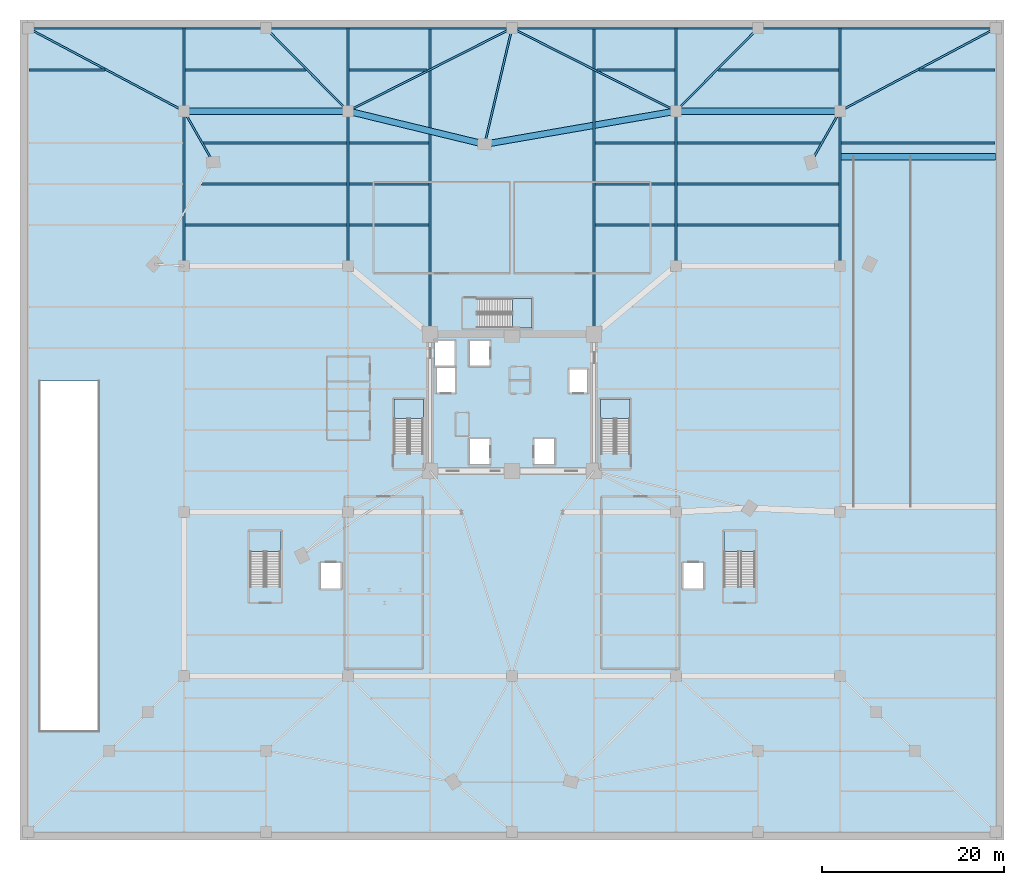
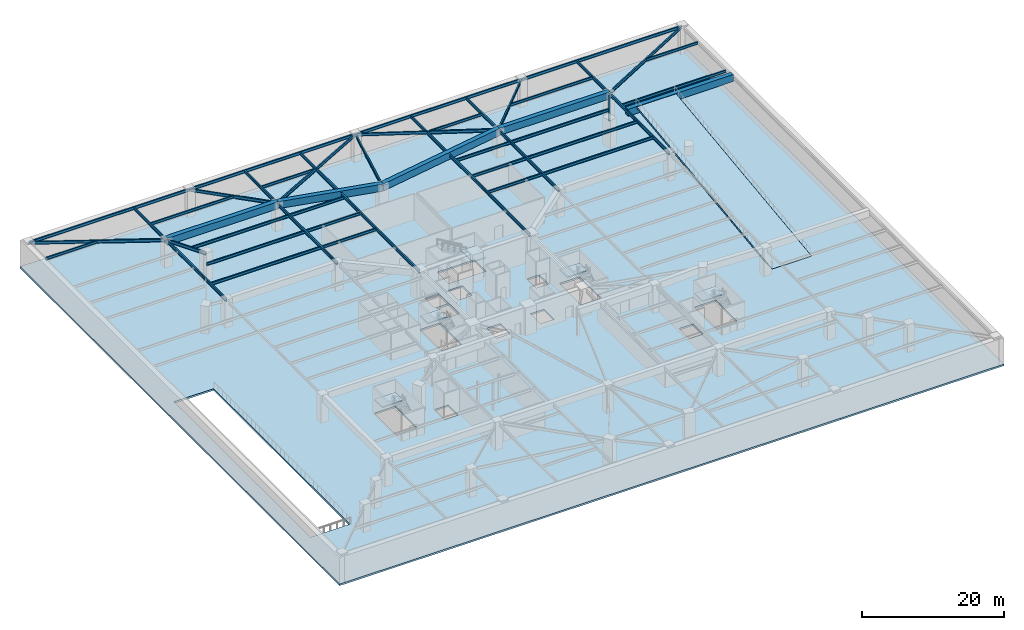
# One storey, part 7 of 20: 47 beams, 7 slabs, 5 elements without a shape of their own.
"""IFC4 building model written with IfcOpenShell, lengths in metres."""

from ifc_helpers import new_model, si_unit, direction, frame, origin, origin_2d, place, context, subcontext, project, spatial, polyline, rectangle, i_section, outline, extrude, source, transform, mapped, material, layer, layer_set, material_profile, profile_set, type_object, element, aggregate, save


model = new_model("IFC4")

# Units and contexts
model_context = context("Model", 3, precision=1e-05, world=origin(), true_north=direction((0.0, 1.0)))
body_context = subcontext(model_context, "Body", "Model", "MODEL_VIEW")
ifc_project = project(units=[si_unit("LENGTHUNIT", "METRE"), si_unit("AREAUNIT", "SQUARE_METRE"), si_unit("VOLUMEUNIT", "CUBIC_METRE"), si_unit("PLANEANGLEUNIT", "RADIAN"), si_unit("MASSUNIT", "GRAM", prefix="KILO")], contexts=[model_context])

# Site, building, storey
site_placement = place(None, origin())
site = spatial("IfcSite", under=ifc_project, at=site_placement, CompositionType="ELEMENT")
building_placement = place(site_placement, origin())
building = spatial("IfcBuilding", under=site, at=building_placement, Name="Liaohun Quay Tower", CompositionType="ELEMENT")
storey_placement = place(building_placement, frame((0.0, 0.0, -4.800048828125)))
storey = spatial("IfcBuildingStorey", under=building, at=storey_placement, Name="B1", CompositionType="ELEMENT", Elevation=-4.800048828125)

# Beams
ifc_material_1 = material(Name="Steel Q355D", Category="steel")
ifc_material_profile_1 = material_profile(ifc_material_1, i_section(OverallWidth=0.199951171875, OverallDepth=0.5, WebThickness=0.010009765625, FlangeThickness=0.01611328125, at=origin_2d()), Name="HN500x200x10x16")
ifc_profile_set_1 = profile_set([ifc_material_profile_1], Name="Steel Q355D")
beam_type_1 = type_object("IfcBeamType", Name="BM-POD-G3", PredefinedType="BEAM", material=ifc_profile_set_1)
shared_shape_1 = source(origin(), body_context, "Body", "SweptSolid", [
    extrude(i_section(OverallWidth=0.199951171875, OverallDepth=0.5, WebThickness=0.010009765625, FlangeThickness=0.01611328125, at=origin_2d()), origin(), (0.0, 0.0, 1.0), 27.0),
])
for number, where, z_axis, x_axis, name in (
    (1, (33.0, 95.10009765625, 4.300048828125), (1.0, 0.0, 0.0), (0.0, 1.0, 0.0), "B1 Perimeter Tie Girder BP07-BP08"),
    (2, (60.0, 95.10009765625, 4.300048828125), (1.0, 0.0, 0.0), (0.0, 1.0, 0.0), "B1 Perimeter Tie Girder BP08-BP09"),
):
    element("IfcBeam", number, at=place(storey_placement, frame(where, z_axis=z_axis, x_axis=x_axis)), inside=storey, type_object=beam_type_1, Name=name, PredefinedType="BEAM", context=body_context, shape_type="MappedRepresentation", body=[
        mapped(shared_shape_1, transform((0.0, 0.0, 0.0), x_axis=(1.0, 0.0, 0.0), y_axis=(0.0, 1.0, 0.0), z_axis=(0.0, 0.0, 1.0), scale=1.0)),
    ])
shared_shape_2 = source(origin(), body_context, "Body", "SweptSolid", [
    extrude(i_section(OverallWidth=0.199951171875, OverallDepth=0.5, WebThickness=0.010009765625, FlangeThickness=0.01611328125, at=origin_2d()), origin(), (0.0, 0.0, 1.0), 17.0),
])
for number, where, z_axis, x_axis, name in (
    (3, (24.0, 69.0, 4.300048828125), (0.0, 1.0, 0.0), (-1.0, 0.0, 0.0), "B1 Primary Grid Girder PG10-PG14"),
    (4, (42.0, 69.0, 4.300048828125), (0.0, 1.0, 0.0), (-1.0, 0.0, 0.0), "B1 Primary Grid Girder PG11-PG15"),
    (5, (78.0, 69.0, 4.300048828125), (0.0, 1.0, 0.0), (-1.0, 0.0, 0.0), "B1 Primary Grid Girder PG12-PG17"),
    (6, (96.0, 69.0, 4.300048828125), (0.0, 1.0, 0.0), (-1.0, 0.0, 0.0), "B1 Primary Grid Girder PG13-PG18"),
):
    element("IfcBeam", number, at=place(storey_placement, frame(where, z_axis=z_axis, x_axis=x_axis)), inside=storey, type_object=beam_type_1, Name=name, PredefinedType="BEAM", context=body_context, shape_type="MappedRepresentation", body=[
        mapped(shared_shape_2, transform((0.0, 0.0, 0.0), x_axis=(1.0, 0.0, 0.0), y_axis=(0.0, 1.0, 0.0), z_axis=(0.0, 0.0, 1.0), scale=1.0)),
    ])
shared_shape_3 = source(origin(), body_context, "Body", "SweptSolid", [
    extrude(i_section(OverallWidth=0.199951171875, OverallDepth=0.5, WebThickness=0.010009765625, FlangeThickness=0.01611328125, at=origin_2d()), origin(), (0.0, 0.0, 1.0), 6.45703125),
])
beam_1_placement = place(storey_placement, frame((27.198974609375, 80.39111328125, 4.300048828125), z_axis=(-0.49542619565, 0.868650035782, 0.0), x_axis=(-0.868650035782, -0.49542619565, 0.0)))
element("IfcBeam", 7, at=beam_1_placement, inside=storey, type_object=beam_type_1, Name="B1 Primary Grid Girder PC05-PG14", PredefinedType="BEAM", context=body_context, shape_type="MappedRepresentation", body=[
    mapped(shared_shape_3, transform((0.0, 0.0, 0.0), x_axis=(1.0, 0.0, 0.0), y_axis=(0.0, 1.0, 0.0), z_axis=(0.0, 0.0, 1.0), scale=1.0)),
])
shared_shape_4 = source(origin(), body_context, "Body", "SweptSolid", [
    extrude(i_section(OverallWidth=0.199951171875, OverallDepth=0.5, WebThickness=0.010009765625, FlangeThickness=0.01611328125, at=origin_2d()), origin(), (0.0, 0.0, 1.0), 6.462158203125),
])
beam_2_placement = place(storey_placement, frame((92.802978515625, 80.384033203125, 4.300048828125), z_axis=(0.494726480393, 0.869048738333, 0.0), x_axis=(-0.869048738333, 0.494726480393, 0.0)))
element("IfcBeam", 8, at=beam_2_placement, inside=storey, type_object=beam_type_1, Name="B1 Primary Grid Girder PC07-PG18", PredefinedType="BEAM", context=body_context, shape_type="MappedRepresentation", body=[
    mapped(shared_shape_4, transform((0.0, 0.0, 0.0), x_axis=(1.0, 0.0, 0.0), y_axis=(0.0, 1.0, 0.0), z_axis=(0.0, 0.0, 1.0), scale=1.0)),
])
shared_shape_5 = source(origin(), body_context, "Body", "SweptSolid", [
    extrude(i_section(OverallWidth=0.199951171875, OverallDepth=0.5, WebThickness=0.010009765625, FlangeThickness=0.01611328125, at=origin_2d()), origin(), (0.0, 0.0, 1.0), 26.10009765625),
])
for number, where, z_axis, x_axis, name in (
    (9, (6.89990234375, 95.10009765625, 4.300048828125), (1.0, 0.0, 0.0), (0.0, 1.0, 0.0), "B1 Perimeter Tie Girder BP06-BP07"),
    (10, (87.0, 95.10009765625, 4.300048828125), (1.0, 0.0, 0.0), (0.0, 1.0, 0.0), "B1 Perimeter Tie Girder BP09-BP10"),
):
    element("IfcBeam", number, at=place(storey_placement, frame(where, z_axis=z_axis, x_axis=x_axis)), inside=storey, type_object=beam_type_1, Name=name, PredefinedType="BEAM", context=body_context, shape_type="MappedRepresentation", body=[
        mapped(shared_shape_5, transform((0.0, 0.0, 0.0), x_axis=(1.0, 0.0, 0.0), y_axis=(0.0, 1.0, 0.0), z_axis=(0.0, 0.0, 1.0), scale=1.0)),
    ])
shared_shape_6 = source(origin(), body_context, "Body", "SweptSolid", [
    extrude(i_section(OverallWidth=0.199951171875, OverallDepth=0.5, WebThickness=0.010009765625, FlangeThickness=0.01611328125, at=origin_2d()), origin(), (0.0, 0.0, 1.0), 19.370849609375),
])
for number, where, z_axis, x_axis, name in (
    (11, (6.89990234375, 95.10009765625, 4.300048828125), (0.882780313586, -0.469786034217, 0.0), (0.469786034217, 0.882780313586, 0.0), "B1 Perimeter Tie Girder BP06-PG14"),
    (12, (113.10009765625, 95.10009765625, 4.300048828125), (-0.882780313586, -0.469786034217, 0.0), (0.469786034217, -0.882780313586, 0.0), "B1 Perimeter Tie Girder BP10-PG18"),
):
    element("IfcBeam", number, at=place(storey_placement, frame(where, z_axis=z_axis, x_axis=x_axis)), inside=storey, type_object=beam_type_1, Name=name, PredefinedType="BEAM", context=body_context, shape_type="MappedRepresentation", body=[
        mapped(shared_shape_6, transform((0.0, 0.0, 0.0), x_axis=(1.0, 0.0, 0.0), y_axis=(0.0, 1.0, 0.0), z_axis=(0.0, 0.0, 1.0), scale=1.0)),
    ])
shared_shape_7 = source(origin(), body_context, "Body", "SweptSolid", [
    extrude(i_section(OverallWidth=0.199951171875, OverallDepth=0.5, WebThickness=0.010009765625, FlangeThickness=0.01611328125, at=origin_2d()), origin(), (0.0, 0.0, 1.0), 12.798828125),
])
for number, where, z_axis, x_axis, name in (
    (13, (33.0, 95.10009765625, 4.300048828125), (0.703185567055, -0.711006370074, 0.0), (0.711006370074, 0.703185567055, 0.0), "B1 Perimeter Tie Girder BP07-PG15"),
    (14, (87.0, 95.10009765625, 4.300048828125), (-0.703185567055, -0.711006370074, 0.0), (0.711006370074, -0.703185567055, 0.0), "B1 Perimeter Tie Girder BP09-PG17"),
):
    element("IfcBeam", number, at=place(storey_placement, frame(where, z_axis=z_axis, x_axis=x_axis)), inside=storey, type_object=beam_type_1, Name=name, PredefinedType="BEAM", context=body_context, shape_type="MappedRepresentation", body=[
        mapped(shared_shape_7, transform((0.0, 0.0, 0.0), x_axis=(1.0, 0.0, 0.0), y_axis=(0.0, 1.0, 0.0), z_axis=(0.0, 0.0, 1.0), scale=1.0)),
    ])
shared_shape_8 = source(origin(), body_context, "Body", "SweptSolid", [
    extrude(i_section(OverallWidth=0.199951171875, OverallDepth=0.5, WebThickness=0.010009765625, FlangeThickness=0.01611328125, at=origin_2d()), origin(), (0.0, 0.0, 1.0), 13.089599609375),
])
beam_3_placement = place(storey_placement, frame((60.0, 95.10009765625, 4.300048828125), z_axis=(-0.229563256171, -0.973293743644, 0.0), x_axis=(0.973293743644, -0.229563256171, 0.0)))
element("IfcBeam", 15, at=beam_3_placement, inside=storey, type_object=beam_type_1, Name="B1 Perimeter Tie Girder BP08-PC06", PredefinedType="BEAM", context=body_context, shape_type="MappedRepresentation", body=[
    mapped(shared_shape_8, transform((0.0, 0.0, 0.0), x_axis=(1.0, 0.0, 0.0), y_axis=(0.0, 1.0, 0.0), z_axis=(0.0, 0.0, 1.0), scale=1.0)),
])
shared_shape_9 = source(origin(), body_context, "Body", "SweptSolid", [
    extrude(i_section(OverallWidth=0.199951171875, OverallDepth=0.5, WebThickness=0.010009765625, FlangeThickness=0.01611328125, at=origin_2d()), origin(), (0.0, 0.0, 1.0), 20.169677734375),
])
for number, where, z_axis, x_axis, name in (
    (16, (60.0, 95.10009765625, 4.300048828125), (-0.892433257544, -0.451179433074, 0.0), (0.451179433074, -0.892433257544, 0.0), "B1 Perimeter Tie Girder BP08-PG15"),
    (17, (60.0, 95.10009765625, 4.300048828125), (0.892433257544, -0.451179433074, 0.0), (0.451179433074, 0.892433257544, 0.0), "B1 Perimeter Tie Girder BP08-PG17"),
):
    element("IfcBeam", number, at=place(storey_placement, frame(where, z_axis=z_axis, x_axis=x_axis)), inside=storey, type_object=beam_type_1, Name=name, PredefinedType="BEAM", context=body_context, shape_type="MappedRepresentation", body=[
        mapped(shared_shape_9, transform((0.0, 0.0, 0.0), x_axis=(1.0, 0.0, 0.0), y_axis=(0.0, 1.0, 0.0), z_axis=(0.0, 0.0, 1.0), scale=1.0)),
    ])
shared_shape_10 = source(origin(), body_context, "Body", "SweptSolid", [
    extrude(i_section(OverallWidth=0.199951171875, OverallDepth=0.5, WebThickness=0.010009765625, FlangeThickness=0.01611328125, at=origin_2d()), origin(), (0.0, 0.0, 1.0), 33.60009765625),
])
for number, where, z_axis, x_axis, name in (
    (18, (51.0, 61.5, 4.300048828125), (0.0, 1.0, 0.0), (-1.0, 0.0, 0.0), "B1 Spine Girder X51-N"),
    (19, (69.0, 61.5, 4.300048828125), (0.0, 1.0, 0.0), (-1.0, 0.0, 0.0), "B1 Spine Girder X69-N"),
):
    element("IfcBeam", number, at=place(storey_placement, frame(where, z_axis=z_axis, x_axis=x_axis)), inside=storey, type_object=beam_type_1, Name=name, PredefinedType="BEAM", context=body_context, shape_type="MappedRepresentation", body=[
        mapped(shared_shape_10, transform((0.0, 0.0, 0.0), x_axis=(1.0, 0.0, 0.0), y_axis=(0.0, 1.0, 0.0), z_axis=(0.0, 0.0, 1.0), scale=1.0)),
    ])
shared_shape_11 = source(origin(), body_context, "Body", "SweptSolid", [
    extrude(i_section(OverallWidth=0.199951171875, OverallDepth=0.5, WebThickness=0.010009765625, FlangeThickness=0.01611328125, at=origin_2d()), origin(), (0.0, 0.0, 1.0), 9.10009765625),
])
for number, where, z_axis, x_axis, name in (
    (20, (24.0, 86.0, 4.300048828125), (0.0, 1.0, 0.0), (-1.0, 0.0, 0.0), "B1 North Apron Spine Girder X24"),
    (21, (42.0, 86.0, 4.300048828125), (0.0, 1.0, 0.0), (-1.0, 0.0, 0.0), "B1 North Apron Spine Girder X42"),
    (22, (78.0, 86.0, 4.300048828125), (0.0, 1.0, 0.0), (-1.0, 0.0, 0.0), "B1 North Apron Spine Girder X78"),
    (23, (96.0, 86.0, 4.300048828125), (0.0, 1.0, 0.0), (-1.0, 0.0, 0.0), "B1 North Apron Spine Girder X96"),
):
    element("IfcBeam", number, at=place(storey_placement, frame(where, z_axis=z_axis, x_axis=x_axis)), inside=storey, type_object=beam_type_1, Name=name, PredefinedType="BEAM", context=body_context, shape_type="MappedRepresentation", body=[
        mapped(shared_shape_11, transform((0.0, 0.0, 0.0), x_axis=(1.0, 0.0, 0.0), y_axis=(0.0, 1.0, 0.0), z_axis=(0.0, 0.0, 1.0), scale=1.0)),
    ])
ifc_material_profile_2 = material_profile(ifc_material_1, i_section(OverallWidth=0.199951171875, OverallDepth=0.449951171875, WebThickness=0.009033203125, FlangeThickness=0.013916015625, at=origin_2d()), Name="HN450x200x9x14")
ifc_profile_set_2 = profile_set([ifc_material_profile_2], Name="Steel Q355D")
beam_type_2 = type_object("IfcBeamType", Name="BM-SEC-J1", PredefinedType="JOIST", material=ifc_profile_set_2)
shared_shape_12 = source(origin(), body_context, "Body", "SweptSolid", [
    extrude(i_section(OverallWidth=0.199951171875, OverallDepth=0.449951171875, WebThickness=0.009033203125, FlangeThickness=0.013916015625, at=origin_2d()), origin(), (0.0, 0.0, 1.0), 16.89990234375),
])
beam_4_placement = place(storey_placement, frame((96.10009765625, 82.5, 4.324951171875), z_axis=(1.0, 0.0, 0.0), x_axis=(0.0, 1.0, 0.0)))
element("IfcBeam", 24, at=beam_4_placement, inside=storey, type_object=beam_type_2, Name="B1 Composite Floor Joist SJ-83", PredefinedType="JOIST", context=body_context, shape_type="MappedRepresentation", body=[
    mapped(shared_shape_12, transform((0.0, 0.0, 0.0), x_axis=(1.0, 0.0, 0.0), y_axis=(0.0, 1.0, 0.0), z_axis=(0.0, 0.0, 1.0), scale=1.0)),
])
shared_shape_13 = source(origin(), body_context, "Body", "SweptSolid", [
    extrude(i_section(OverallWidth=0.199951171875, OverallDepth=0.449951171875, WebThickness=0.009033203125, FlangeThickness=0.013916015625, at=origin_2d()), origin(), (0.0, 0.0, 1.0), 8.3310546875),
])
for number, where, z_axis, x_axis, name in (
    (25, (7.0, 90.5, 4.324951171875), (1.0, 0.0, 0.0), (0.0, 1.0, 0.0), "B1 Composite Floor Joist SJ-14"),
    (26, (104.6689453125, 90.5, 4.324951171875), (1.0, 0.0, 0.0), (0.0, 1.0, 0.0), "B1 Composite Floor Joist SJ-84"),
):
    element("IfcBeam", number, at=place(storey_placement, frame(where, z_axis=z_axis, x_axis=x_axis)), inside=storey, type_object=beam_type_2, Name=name, PredefinedType="JOIST", context=body_context, shape_type="MappedRepresentation", body=[
        mapped(shared_shape_13, transform((0.0, 0.0, 0.0), x_axis=(1.0, 0.0, 0.0), y_axis=(0.0, 1.0, 0.0), z_axis=(0.0, 0.0, 1.0), scale=1.0)),
    ])
shared_shape_14 = source(origin(), body_context, "Body", "SweptSolid", [
    extrude(i_section(OverallWidth=0.199951171875, OverallDepth=0.449951171875, WebThickness=0.009033203125, FlangeThickness=0.013916015625, at=origin_2d()), origin(), (0.0, 0.0, 1.0), 8.7998046875),
])
for number, where, z_axis, x_axis, name in (
    (27, (42.10009765625, 73.5, 4.324951171875), (1.0, 0.0, 0.0), (0.0, 1.0, 0.0), "B1 Composite Floor Joist SJ-39"),
    (28, (42.10009765625, 78.0, 4.324951171875), (1.0, 0.0, 0.0), (0.0, 1.0, 0.0), "B1 Composite Floor Joist SJ-40"),
    (29, (42.10009765625, 82.5, 4.324951171875), (1.0, 0.0, 0.0), (0.0, 1.0, 0.0), "B1 Composite Floor Joist SJ-41"),
    (30, (69.10009765625, 73.5, 4.324951171875), (1.0, 0.0, 0.0), (0.0, 1.0, 0.0), "B1 Composite Floor Joist SJ-53"),
    (31, (69.10009765625, 78.0, 4.324951171875), (1.0, 0.0, 0.0), (0.0, 1.0, 0.0), "B1 Composite Floor Joist SJ-54"),
    (32, (69.10009765625, 82.5, 4.324951171875), (1.0, 0.0, 0.0), (0.0, 1.0, 0.0), "B1 Composite Floor Joist SJ-55"),
):
    element("IfcBeam", number, at=place(storey_placement, frame(where, z_axis=z_axis, x_axis=x_axis)), inside=storey, type_object=beam_type_2, Name=name, PredefinedType="JOIST", context=body_context, shape_type="MappedRepresentation", body=[
        mapped(shared_shape_14, transform((0.0, 0.0, 0.0), x_axis=(1.0, 0.0, 0.0), y_axis=(0.0, 1.0, 0.0), z_axis=(0.0, 0.0, 1.0), scale=1.0)),
    ])
shared_shape_15 = source(origin(), body_context, "Body", "SweptSolid", [
    extrude(i_section(OverallWidth=0.199951171875, OverallDepth=0.449951171875, WebThickness=0.009033203125, FlangeThickness=0.013916015625, at=origin_2d()), origin(), (0.0, 0.0, 1.0), 17.7998046875),
])
for number, where, z_axis, x_axis, name in (
    (33, (24.10009765625, 73.5, 4.324951171875), (1.0, 0.0, 0.0), (0.0, 1.0, 0.0), "B1 Composite Floor Joist SJ-25"),
    (34, (78.10009765625, 73.5, 4.324951171875), (1.0, 0.0, 0.0), (0.0, 1.0, 0.0), "B1 Composite Floor Joist SJ-67"),
    (35, (78.10009765625, 78.0, 4.324951171875), (1.0, 0.0, 0.0), (0.0, 1.0, 0.0), "B1 Composite Floor Joist SJ-68"),
):
    element("IfcBeam", number, at=place(storey_placement, frame(where, z_axis=z_axis, x_axis=x_axis)), inside=storey, type_object=beam_type_2, Name=name, PredefinedType="JOIST", context=body_context, shape_type="MappedRepresentation", body=[
        mapped(shared_shape_15, transform((0.0, 0.0, 0.0), x_axis=(1.0, 0.0, 0.0), y_axis=(0.0, 1.0, 0.0), z_axis=(0.0, 0.0, 1.0), scale=1.0)),
    ])
shared_shape_16 = source(origin(), body_context, "Body", "SweptSolid", [
    extrude(i_section(OverallWidth=0.199951171875, OverallDepth=0.449951171875, WebThickness=0.009033203125, FlangeThickness=0.013916015625, at=origin_2d()), origin(), (0.0, 0.0, 1.0), 15.9658203125),
])
beam_5_placement = place(storey_placement, frame((25.93408203125, 78.0, 4.324951171875), z_axis=(1.0, 0.0, 0.0), x_axis=(0.0, 1.0, 0.0)))
element("IfcBeam", 36, at=beam_5_placement, inside=storey, type_object=beam_type_2, Name="B1 Composite Floor Joist SJ-26", PredefinedType="JOIST", context=body_context, shape_type="MappedRepresentation", body=[
    mapped(shared_shape_16, transform((0.0, 0.0, 0.0), x_axis=(1.0, 0.0, 0.0), y_axis=(0.0, 1.0, 0.0), z_axis=(0.0, 0.0, 1.0), scale=1.0)),
])
shared_shape_17 = source(origin(), body_context, "Body", "SweptSolid", [
    extrude(i_section(OverallWidth=0.199951171875, OverallDepth=0.449951171875, WebThickness=0.009033203125, FlangeThickness=0.013916015625, at=origin_2d()), origin(), (0.0, 0.0, 1.0), 15.788818359375),
])
beam_6_placement = place(storey_placement, frame((26.111083984375, 82.5, 4.324951171875), z_axis=(1.0, 0.0, 0.0), x_axis=(0.0, 1.0, 0.0)))
element("IfcBeam", 37, at=beam_6_placement, inside=storey, type_object=beam_type_2, Name="B1 Composite Floor Joist SJ-27", PredefinedType="JOIST", context=body_context, shape_type="MappedRepresentation", body=[
    mapped(shared_shape_17, transform((0.0, 0.0, 0.0), x_axis=(1.0, 0.0, 0.0), y_axis=(0.0, 1.0, 0.0), z_axis=(0.0, 0.0, 1.0), scale=1.0)),
])
shared_shape_18 = source(origin(), body_context, "Body", "SweptSolid", [
    extrude(i_section(OverallWidth=0.199951171875, OverallDepth=0.449951171875, WebThickness=0.009033203125, FlangeThickness=0.013916015625, at=origin_2d()), origin(), (0.0, 0.0, 1.0), 13.308837890625),
])
for number, where, z_axis, x_axis, name in (
    (38, (24.10009765625, 90.5, 4.324951171875), (1.0, 0.0, 0.0), (0.0, 1.0, 0.0), "B1 Composite Floor Joist SJ-28"),
    (39, (82.591064453125, 90.5, 4.324951171875), (1.0, 0.0, 0.0), (0.0, 1.0, 0.0), "B1 Composite Floor Joist SJ-70"),
):
    element("IfcBeam", number, at=place(storey_placement, frame(where, z_axis=z_axis, x_axis=x_axis)), inside=storey, type_object=beam_type_2, Name=name, PredefinedType="JOIST", context=body_context, shape_type="MappedRepresentation", body=[
        mapped(shared_shape_18, transform((0.0, 0.0, 0.0), x_axis=(1.0, 0.0, 0.0), y_axis=(0.0, 1.0, 0.0), z_axis=(0.0, 0.0, 1.0), scale=1.0)),
    ])
shared_shape_19 = source(origin(), body_context, "Body", "SweptSolid", [
    extrude(i_section(OverallWidth=0.199951171875, OverallDepth=0.449951171875, WebThickness=0.009033203125, FlangeThickness=0.013916015625, at=origin_2d()), origin(), (0.0, 0.0, 1.0), 8.578857421875),
])
for number, where, z_axis, x_axis, name in (
    (40, (42.10009765625, 90.5, 4.324951171875), (1.0, 0.0, 0.0), (0.0, 1.0, 0.0), "B1 Composite Floor Joist SJ-42"),
    (41, (69.321044921875, 90.5, 4.324951171875), (1.0, 0.0, 0.0), (0.0, 1.0, 0.0), "B1 Composite Floor Joist SJ-56"),
):
    element("IfcBeam", number, at=place(storey_placement, frame(where, z_axis=z_axis, x_axis=x_axis)), inside=storey, type_object=beam_type_2, Name=name, PredefinedType="JOIST", context=body_context, shape_type="MappedRepresentation", body=[
        mapped(shared_shape_19, transform((0.0, 0.0, 0.0), x_axis=(1.0, 0.0, 0.0), y_axis=(0.0, 1.0, 0.0), z_axis=(0.0, 0.0, 1.0), scale=1.0)),
    ])
shared_shape_20 = source(origin(), body_context, "Body", "SweptSolid", [
    extrude(i_section(OverallWidth=0.199951171875, OverallDepth=0.449951171875, WebThickness=0.009033203125, FlangeThickness=0.013916015625, at=origin_2d()), origin(), (0.0, 0.0, 1.0), 15.7919921875),
])
beam_7_placement = place(storey_placement, frame((78.10009765625, 82.5, 4.324951171875), z_axis=(1.0, 0.0, 0.0), x_axis=(0.0, 1.0, 0.0)))
element("IfcBeam", 42, at=beam_7_placement, inside=storey, type_object=beam_type_2, Name="B1 Composite Floor Joist SJ-69", PredefinedType="JOIST", context=body_context, shape_type="MappedRepresentation", body=[
    mapped(shared_shape_20, transform((0.0, 0.0, 0.0), x_axis=(1.0, 0.0, 0.0), y_axis=(0.0, 1.0, 0.0), z_axis=(0.0, 0.0, 1.0), scale=1.0)),
])
ifc_material_2 = material(Name="Concrete C50", Category="concrete")
ifc_material_profile_3 = material_profile(ifc_material_2, rectangle(XDim=0.699951171875, YDim=1.199951171875, at=origin_2d()), Name="RC700x1200")
ifc_profile_set_3 = profile_set([ifc_material_profile_3], Name="Concrete C50")
beam_type_3 = type_object("IfcBeamType", Name="BM-GRD-2", PredefinedType="BEAM", material=ifc_profile_set_3)
shared_shape_21 = source(origin(), body_context, "Body", "SweptSolid", [
    extrude(rectangle(XDim=0.699951171875, YDim=1.199951171875, at=origin_2d()), origin(), (0.0, 0.0, 1.0), 18.0),
])
for number, where, z_axis, x_axis, name in (
    (43, (24.0, 86.0, 4.199951171875), (1.0, 0.0, 0.0), (0.0, 1.0, 0.0), "B1 Primary Grid Girder PG14-PG15"),
    (44, (78.0, 86.0, 4.199951171875), (1.0, 0.0, 0.0), (0.0, 1.0, 0.0), "B1 Primary Grid Girder PG17-PG18"),
):
    element("IfcBeam", number, at=place(storey_placement, frame(where, z_axis=z_axis, x_axis=x_axis)), inside=storey, type_object=beam_type_3, Name=name, PredefinedType="BEAM", context=body_context, shape_type="MappedRepresentation", body=[
        mapped(shared_shape_21, transform((0.0, 0.0, 0.0), x_axis=(1.0, 0.0, 0.0), y_axis=(0.0, 1.0, 0.0), z_axis=(0.0, 0.0, 1.0), scale=1.0)),
    ])
shared_shape_22 = source(origin(), body_context, "Body", "SweptSolid", [
    extrude(rectangle(XDim=0.699951171875, YDim=1.199951171875, at=origin_2d()), origin(), (0.0, 0.0, 1.0), 15.4306640625),
])
beam_8_placement = place(storey_placement, frame((42.0, 86.0, 4.199951171875), z_axis=(0.971780133719, -0.235888473032, 0.0), x_axis=(0.235888473032, 0.971780133719, 0.0)))
element("IfcBeam", 45, at=beam_8_placement, inside=storey, type_object=beam_type_3, Name="B1 Primary Grid Girder PG15-PC06", PredefinedType="BEAM", context=body_context, shape_type="MappedRepresentation", body=[
    mapped(shared_shape_22, transform((0.0, 0.0, 0.0), x_axis=(1.0, 0.0, 0.0), y_axis=(0.0, 1.0, 0.0), z_axis=(0.0, 0.0, 1.0), scale=1.0)),
])
shared_shape_23 = source(origin(), body_context, "Body", "SweptSolid", [
    extrude(rectangle(XDim=0.699951171875, YDim=1.199951171875, at=origin_2d()), origin(), (0.0, 0.0, 1.0), 21.31787109375),
])
beam_9_placement = place(storey_placement, frame((56.9951171875, 82.360107421875, 4.199951171875), z_axis=(0.985315548274, 0.170743287801, 0.0), x_axis=(-0.170743287801, 0.985315548274, 0.0)))
element("IfcBeam", 46, at=beam_9_placement, inside=storey, type_object=beam_type_3, Name="B1 Primary Grid Girder PC06-PG17", PredefinedType="BEAM", context=body_context, shape_type="MappedRepresentation", body=[
    mapped(shared_shape_23, transform((0.0, 0.0, 0.0), x_axis=(1.0, 0.0, 0.0), y_axis=(0.0, 1.0, 0.0), z_axis=(0.0, 0.0, 1.0), scale=1.0)),
])
shared_shape_24 = source(origin(), body_context, "Body", "SweptSolid", [
    extrude(rectangle(XDim=0.699951171875, YDim=1.199951171875, at=origin_2d()), origin(), (0.0, 0.0, 1.0), 17.10009765625),
])
beam_10_placement = place(storey_placement, frame((96.0, 81.0, 4.199951171875), z_axis=(1.0, 0.0, 0.0), x_axis=(0.0, 1.0, 0.0)))
element("IfcBeam", 47, at=beam_10_placement, inside=storey, type_object=beam_type_3, Name="B1 Upper Ramp L01 Arrival Header", PredefinedType="BEAM", context=body_context, shape_type="MappedRepresentation", body=[
    mapped(shared_shape_24, transform((0.0, 0.0, 0.0), x_axis=(1.0, 0.0, 0.0), y_axis=(0.0, 1.0, 0.0), z_axis=(0.0, 0.0, 1.0), scale=1.0)),
])

# Slab
ifc_material_3 = material(Name="Concrete C45", Category="concrete")
ifc_layer_1 = layer(ifc_material_3, 0.300048828125, Name="Concrete C45", Category="concrete")
ifc_layer_set_1 = layer_set([ifc_layer_1], Name="Concrete C45")
slab_type_1 = type_object("IfcSlabType", Name="SLB-B1-300", PredefinedType="FLOOR", material=ifc_layer_set_1)
slab_1_placement = place(storey_placement, frame((0.0, 0.0, -0.300048828125)))
element("IfcSlab", 48, at=slab_1_placement, inside=storey, type_object=slab_type_1, Name="B1 Structural Floor Slab", PredefinedType="FLOOR", context=body_context, shape_type="SweptSolid", body=[
    extrude(outline(polyline([(6.0, 6.0), (114.0, 6.0), (114.0, 96.0), (6.0, 96.0), (6.0, 6.0)]), holes=[polyline([(41.2099609375, 36.409912109375), (38.989990234375, 36.409912109375), (38.989990234375, 33.590087890625), (41.2099609375, 33.590087890625), (41.2099609375, 36.409912109375)]), polyline([(34.639892578125, 39.89990234375), (31.199951171875, 39.89990234375), (31.199951171875, 33.81005859375), (34.639892578125, 33.81005859375), (34.639892578125, 39.89990234375)]), polyline([(14.60009765625, 18.0), (14.60009765625, 56.39990234375), (8.199951171875, 56.39990234375), (8.199951171875, 18.0), (14.60009765625, 18.0)]), polyline([(57.56005859375, 47.2099609375), (57.56005859375, 50.030029296875), (55.340087890625, 50.030029296875), (55.340087890625, 47.2099609375), (57.56005859375, 47.2099609375)]), polyline([(50.280029296875, 54.419921875), (47.0400390625, 54.419921875), (47.0400390625, 48.409912109375), (50.280029296875, 48.409912109375), (50.280029296875, 54.419921875)]), polyline([(53.760009765625, 55.090087890625), (53.760009765625, 57.909912109375), (51.7099609375, 57.909912109375), (51.7099609375, 55.090087890625), (53.760009765625, 55.090087890625)]), polyline([(53.7099609375, 58.0400390625), (53.7099609375, 60.7900390625), (51.489990234375, 60.7900390625), (51.489990234375, 58.0400390625), (53.7099609375, 58.0400390625)]), polyline([(57.56005859375, 58.0400390625), (57.56005859375, 60.7900390625), (55.340087890625, 60.7900390625), (55.340087890625, 58.0400390625), (57.56005859375, 58.0400390625)]), polyline([(81.010009765625, 33.590087890625), (81.010009765625, 36.409912109375), (78.7900390625, 36.409912109375), (78.7900390625, 33.590087890625), (81.010009765625, 33.590087890625)]), polyline([(86.699951171875, 39.89990234375), (83.260009765625, 39.89990234375), (83.260009765625, 33.81005859375), (86.699951171875, 33.81005859375), (86.699951171875, 39.89990234375)]), polyline([(103.780029296875, 42.52001953125), (103.780029296875, 44.919921875), (97.419921875, 44.919921875), (97.419921875, 42.52001953125), (103.780029296875, 42.52001953125)]), polyline([(64.659912109375, 47.2099609375), (64.659912109375, 50.030029296875), (62.43994140625, 50.030029296875), (62.43994140625, 47.2099609375), (64.659912109375, 47.2099609375)]), polyline([(72.9599609375, 54.419921875), (69.719970703125, 54.419921875), (69.719970703125, 48.409912109375), (72.9599609375, 48.409912109375), (72.9599609375, 54.419921875)]), polyline([(68.2900390625, 55.090087890625), (68.2900390625, 57.659912109375), (66.2900390625, 57.659912109375), (66.2900390625, 55.090087890625), (68.2900390625, 55.090087890625)]), polyline([(62.219970703125, 62.199951171875), (62.219970703125, 65.43994140625), (56.2099609375, 65.43994140625), (56.2099609375, 62.199951171875), (62.219970703125, 62.199951171875)])]), origin(), (0.0, 0.0, 1.0), 0.300048828125),
])

# Stair, slab
stair_type_1 = type_object("IfcStairType", Name="STR-CORE-CRN", PredefinedType="HALF_TURN_STAIR", material=ifc_material_3)
stair_1_placement = place(storey_placement, origin())
stair_1 = element("IfcStair", 49, at=stair_1_placement, inside=storey, type_object=stair_type_1, Name="B1 Smokeproof Core Exit Stair ST-1", PredefinedType="HALF_TURN_STAIR")
ifc_layer_2 = layer(ifc_material_3, 0.199951171875, Name="Concrete C45", Category="concrete")
ifc_layer_set_2 = layer_set([ifc_layer_2], Name="Concrete C45")
slab_type_2 = type_object("IfcSlabType", Name="SLB-LND-200", PredefinedType="LANDING", material=ifc_layer_set_2)
slab_2_placement = place(storey_placement, frame((0.0, 0.0, 2.199951171875)))
slab_2 = element("IfcSlab", 50, at=slab_2_placement, type_object=slab_type_2, Name="ST-1 landing 1", PredefinedType="LANDING", context=body_context, shape_type="SweptSolid", body=[
    extrude(outline(polyline([(50.280029296875, 52.27001953125), (50.280029296875, 54.419921875), (47.0400390625, 54.419921875), (47.0400390625, 52.27001953125), (50.280029296875, 52.27001953125)])), origin(), (0.0, 0.0, 1.0), 0.2001953125),
])
aggregate(stair_1, [slab_2])

stair_2_placement = place(storey_placement, origin())
stair_2 = element("IfcStair", 51, at=stair_2_placement, inside=storey, type_object=stair_type_1, Name="B1 Smokeproof Core Exit Stair ST-2", PredefinedType="HALF_TURN_STAIR")
slab_3_placement = place(storey_placement, frame((0.0, 0.0, 2.199951171875)))
slab_3 = element("IfcSlab", 52, at=slab_3_placement, type_object=slab_type_2, Name="ST-2 landing 1", PredefinedType="LANDING", context=body_context, shape_type="SweptSolid", body=[
    extrude(outline(polyline([(72.9599609375, 52.27001953125), (72.9599609375, 54.419921875), (69.719970703125, 54.419921875), (69.719970703125, 52.27001953125), (72.9599609375, 52.27001953125)])), origin(), (0.0, 0.0, 1.0), 0.2001953125),
])
aggregate(stair_2, [slab_3])

stair_3_placement = place(storey_placement, origin())
stair_3 = element("IfcStair", 53, at=stair_3_placement, inside=storey, type_object=stair_type_1, Name="B1 Smokeproof Core Exit Stair ST-3", PredefinedType="HALF_TURN_STAIR")
slab_4_placement = place(storey_placement, frame((0.0, 0.0, 2.199951171875)))
slab_4 = element("IfcSlab", 54, at=slab_4_placement, type_object=slab_type_2, Name="ST-3 landing 1", PredefinedType="LANDING", context=body_context, shape_type="SweptSolid", body=[
    extrude(outline(polyline([(60.070068359375, 62.199951171875), (62.219970703125, 62.199951171875), (62.219970703125, 65.43994140625), (60.070068359375, 65.43994140625), (60.070068359375, 62.199951171875)])), origin(), (0.0, 0.0, 1.0), 0.2001953125),
])
aggregate(stair_3, [slab_4])

stair_type_2 = type_object("IfcStairType", Name="STR-POD-EXIT", PredefinedType="TWO_STRAIGHT_RUN_STAIR", material=ifc_material_3)
stair_4_placement = place(storey_placement, origin())
stair_4 = element("IfcStair", 55, at=stair_4_placement, inside=storey, type_object=stair_type_2, Name="B1 Podium Smokeproof Exit Stair ST-P1", PredefinedType="TWO_STRAIGHT_RUN_STAIR")
slab_5_placement = place(storey_placement, frame((0.0, 0.0, 2.199951171875)))
slab_5 = element("IfcSlab", 56, at=slab_5_placement, type_object=slab_type_2, Name="ST-P1 landing 1", PredefinedType="LANDING", context=body_context, shape_type="SweptSolid", body=[
    extrude(outline(polyline([(34.639892578125, 37.669921875), (34.639892578125, 39.89990234375), (31.199951171875, 39.89990234375), (31.199951171875, 37.669921875), (34.639892578125, 37.669921875)])), origin(), (0.0, 0.0, 1.0), 0.2001953125),
])
aggregate(stair_4, [slab_5])

stair_5_placement = place(storey_placement, origin())
stair_5 = element("IfcStair", 57, at=stair_5_placement, inside=storey, type_object=stair_type_2, Name="B1 Podium Smokeproof Exit Stair ST-P2", PredefinedType="TWO_STRAIGHT_RUN_STAIR")
slab_6_placement = place(storey_placement, frame((0.0, 0.0, 2.199951171875)))
slab_6 = element("IfcSlab", 58, at=slab_6_placement, type_object=slab_type_2, Name="ST-P2 landing 1", PredefinedType="LANDING", context=body_context, shape_type="SweptSolid", body=[
    extrude(outline(polyline([(86.699951171875, 37.669921875), (86.699951171875, 39.89990234375), (83.260009765625, 39.89990234375), (83.260009765625, 37.669921875), (86.699951171875, 37.669921875)])), origin(), (0.0, 0.0, 1.0), 0.2001953125),
])
aggregate(stair_5, [slab_6])

# Slab
ifc_layer_3 = layer(ifc_material_3, 0.300048828125, Name="Concrete C45", Category="concrete")
ifc_layer_set_3 = layer_set([ifc_layer_3], Name="Concrete C45")
slab_type_3 = type_object("IfcSlabType", Name="SLB-RMP-300", PredefinedType="FLOOR", material=ifc_layer_set_3)
slab_7_placement = place(storey_placement, frame((97.39990234375, 42.5, 0.0), z_axis=(0.0, -0.123402807958, 0.992356663195), x_axis=(1.0, 0.0, 0.0)))
element("IfcSlab", 59, at=slab_7_placement, inside=storey, type_object=slab_type_3, Name="B1-L01 Structural Vehicle Ramp Slab VR-1", PredefinedType="FLOOR", context=body_context, shape_type="SweptSolid", body=[
    extrude(outline(polyline([(0.0, 0.0), (6.400146484375, 0.0), (6.400146484375, 38.89740361289454), (0.0, 38.89740361289454), (0.0, 0.0)])), origin(), (0.0, 0.0, -1.0), 0.300048828125),
])

save(model, "model.ifc")
